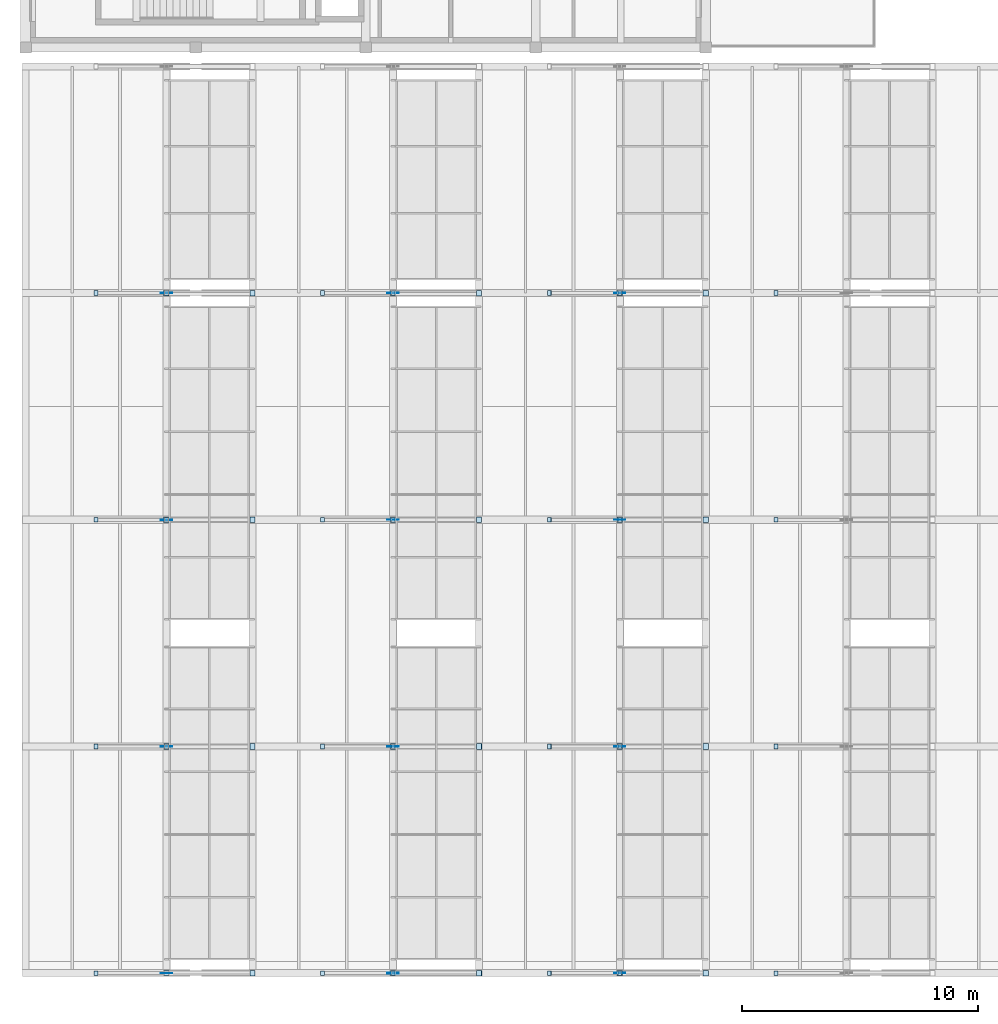
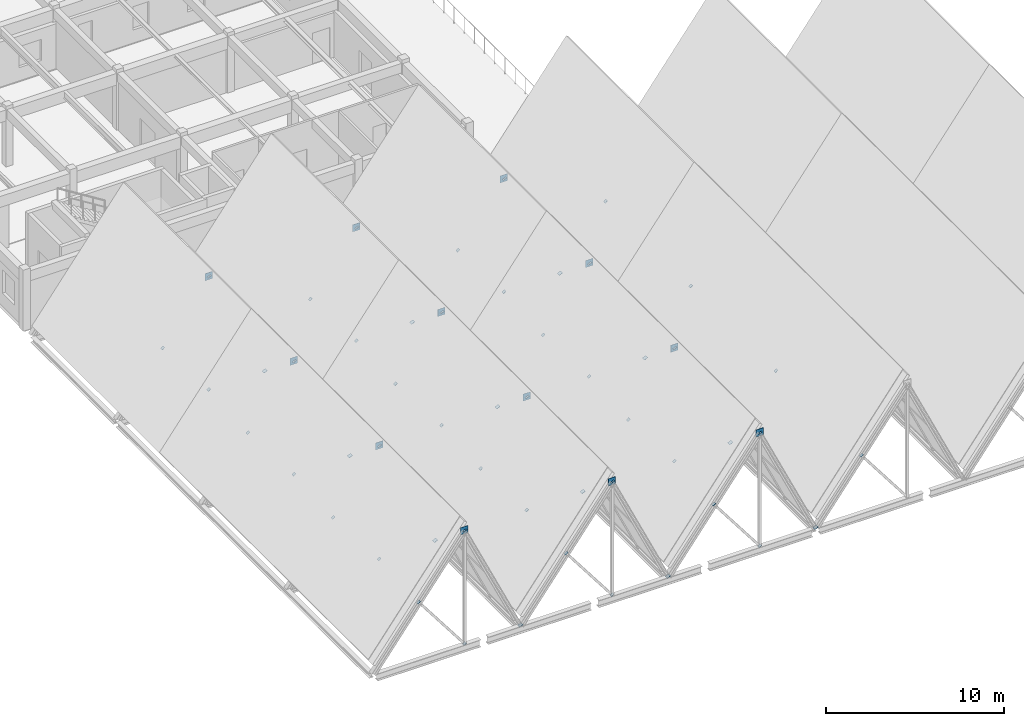
# One storey, part 73 of 99: 64 plates.
"""IFC4 building model written with IfcOpenShell, lengths in metres."""

from ifc_helpers import new_model, si_unit, direction, frame, origin, origin_2d, place, context, subcontext, project, spatial, rectangle, extrude, material, layer, layer_set, type_object, element, save


model = new_model("IFC4")

# Units and contexts
model_context = context("Model", 3, precision=1e-05, world=origin(), true_north=direction((0.0, 1.0)))
body_context = subcontext(model_context, "Body", "Model", "MODEL_VIEW")
ifc_project = project(units=[si_unit("LENGTHUNIT", "METRE"), si_unit("AREAUNIT", "SQUARE_METRE"), si_unit("VOLUMEUNIT", "CUBIC_METRE"), si_unit("PLANEANGLEUNIT", "RADIAN"), si_unit("MASSUNIT", "GRAM", prefix="KILO")], contexts=[model_context])

# Site, building, storey
site_placement = place(None, origin())
site = spatial("IfcSite", under=ifc_project, at=site_placement, CompositionType="ELEMENT")
building_placement = place(site_placement, origin())
building = spatial("IfcBuilding", under=site, at=building_placement, Name="Bramveld Media Centre", CompositionType="ELEMENT")
storey_placement = place(building_placement, frame((0.0, 0.0, 13.800048828125)))
storey = spatial("IfcBuildingStorey", under=building, at=storey_placement, Name="L03", CompositionType="ELEMENT", Elevation=13.800048828125)

# Plates
ifc_material_1 = material(Name="Steel S355J2", Category="steel")
ifc_layer_1 = layer(ifc_material_1, 0.010009765625)
ifc_layer_set_1 = layer_set([ifc_layer_1], Name="Steel S355J2")
plate_type_1 = type_object("IfcPlateType", Name="PLT-CAP-10", PredefinedType="USERDEFINED", material=ifc_layer_set_1)
plate_1_placement = place(storey_placement, frame((5.962890625, 0.0, 7.7998046875), z_axis=(-0.422618287099, 0.0, 0.906307775212), x_axis=(0.0, -1.0, 0.0)))
element("IfcPlate", 1, at=plate_1_placement, inside=storey, type_object=plate_type_1, Name="Hollow section end cap plate CAP-TRUSS-V2-B01-F1-A", ObjectType="CAP PLATE", PredefinedType="USERDEFINED", context=body_context, shape_type="SweptSolid", body=[
    extrude(rectangle(XDim=0.239990234375, YDim=0.239990234375, at=origin_2d()), origin(), (0.0, 0.0, 1.0), 0.010009765625),
])
for number, where, z_axis, x_axis, name in (
    (2, (5.962890625, 0.0, -0.000244140625), (0.607327610301, 0.0, -0.794451492394), (0.0, 1.0, 0.0), "Hollow section end cap plate CAP-TRUSS-V2-B01-F1-W0"),
    (3, (2.9814453125, 0.0, 3.900146484375), (-0.607327610301, 0.0, 0.794451492394), (0.0, -1.0, 0.0), "Hollow section end cap plate CAP-TRUSS-V2-B01-F1-W1"),
    (4, (5.962890625, 9.60009765625, -0.000244140625), (0.607327610301, 0.0, -0.794451492394), (0.0, 1.0, 0.0), "Hollow section end cap plate CAP-TRUSS-V2-B01-F2-W0"),
    (5, (2.9814453125, 9.60009765625, 3.900146484375), (-0.607327610301, 0.0, 0.794451492394), (0.0, -1.0, 0.0), "Hollow section end cap plate CAP-TRUSS-V2-B01-F2-W1"),
    (6, (5.962890625, 19.199951171875, -0.000244140625), (0.607327610301, 0.0, -0.794451492394), (0.0, 1.0, 0.0), "Hollow section end cap plate CAP-TRUSS-V2-B01-F3-W0"),
    (7, (2.9814453125, 19.199951171875, 3.900146484375), (-0.607327610301, 0.0, 0.794451492394), (0.0, -1.0, 0.0), "Hollow section end cap plate CAP-TRUSS-V2-B01-F3-W1"),
):
    element("IfcPlate", number, at=place(storey_placement, frame(where, z_axis=z_axis, x_axis=x_axis)), inside=storey, type_object=plate_type_1, Name=name, ObjectType="CAP PLATE", PredefinedType="USERDEFINED", context=body_context, shape_type="SweptSolid", body=[
        extrude(rectangle(XDim=0.199951171875, YDim=0.199951171875, at=origin_2d()), origin(), (0.0, 0.0, 1.0), 0.010009765625),
    ])
plate_2_placement = place(storey_placement, frame((9.599853515625, 28.800048828125, 0.0), z_axis=(0.422618287099, 0.0, -0.906307775212), x_axis=(0.0, 1.0, 0.0)))
element("IfcPlate", 8, at=plate_2_placement, inside=storey, type_object=plate_type_1, Name="Hollow section end cap plate CAP-TRUSS-V2-B01-F4-B", ObjectType="CAP PLATE", PredefinedType="USERDEFINED", context=body_context, shape_type="SweptSolid", body=[
    extrude(rectangle(XDim=0.239990234375, YDim=0.239990234375, at=origin_2d()), origin(), (0.0, 0.0, 1.0), 0.010009765625),
])
for number, where, z_axis, x_axis, name in (
    (9, (5.962890625, 28.800048828125, -0.000244140625), (0.607327610301, 0.0, -0.794451492394), (0.0, 1.0, 0.0), "Hollow section end cap plate CAP-TRUSS-V2-B01-F4-W0"),
    (10, (2.9814453125, 28.800048828125, 3.900146484375), (-0.607327610301, 0.0, 0.794451492394), (0.0, -1.0, 0.0), "Hollow section end cap plate CAP-TRUSS-V2-B01-F4-W1"),
    (11, (15.56298828125, 0.0, -0.000244140625), (0.607327610301, 0.0, -0.794451492394), (0.0, 1.0, 0.0), "Hollow section end cap plate CAP-TRUSS-V2-B02-F1-W0"),
    (12, (12.581298828125, 0.0, 3.900146484375), (-0.607327610301, 0.0, 0.794451492394), (0.0, -1.0, 0.0), "Hollow section end cap plate CAP-TRUSS-V2-B02-F1-W1"),
    (13, (15.56298828125, 9.60009765625, -0.000244140625), (0.607327610301, 0.0, -0.794451492394), (0.0, 1.0, 0.0), "Hollow section end cap plate CAP-TRUSS-V2-B02-F2-W0"),
    (14, (12.581298828125, 9.60009765625, 3.900146484375), (-0.607327610301, 0.0, 0.794451492394), (0.0, -1.0, 0.0), "Hollow section end cap plate CAP-TRUSS-V2-B02-F2-W1"),
):
    element("IfcPlate", number, at=place(storey_placement, frame(where, z_axis=z_axis, x_axis=x_axis)), inside=storey, type_object=plate_type_1, Name=name, ObjectType="CAP PLATE", PredefinedType="USERDEFINED", context=body_context, shape_type="SweptSolid", body=[
        extrude(rectangle(XDim=0.199951171875, YDim=0.199951171875, at=origin_2d()), origin(), (0.0, 0.0, 1.0), 0.010009765625),
    ])
plate_3_placement = place(storey_placement, frame((19.199951171875, 19.199951171875, 0.0), z_axis=(0.422618287099, 0.0, -0.906307775212), x_axis=(0.0, 1.0, 0.0)))
element("IfcPlate", 15, at=plate_3_placement, inside=storey, type_object=plate_type_1, Name="Hollow section end cap plate CAP-TRUSS-V2-B02-F3-B", ObjectType="CAP PLATE", PredefinedType="USERDEFINED", context=body_context, shape_type="SweptSolid", body=[
    extrude(rectangle(XDim=0.239990234375, YDim=0.239990234375, at=origin_2d()), origin(), (0.0, 0.0, 1.0), 0.010009765625),
])
for number, where, z_axis, x_axis, name in (
    (16, (15.56298828125, 19.199951171875, -0.000244140625), (0.607327610301, 0.0, -0.794451492394), (0.0, 1.0, 0.0), "Hollow section end cap plate CAP-TRUSS-V2-B02-F3-W0"),
    (17, (12.581298828125, 19.199951171875, 3.900146484375), (-0.607327610301, 0.0, 0.794451492394), (0.0, -1.0, 0.0), "Hollow section end cap plate CAP-TRUSS-V2-B02-F3-W1"),
):
    element("IfcPlate", number, at=place(storey_placement, frame(where, z_axis=z_axis, x_axis=x_axis)), inside=storey, type_object=plate_type_1, Name=name, ObjectType="CAP PLATE", PredefinedType="USERDEFINED", context=body_context, shape_type="SweptSolid", body=[
        extrude(rectangle(XDim=0.199951171875, YDim=0.199951171875, at=origin_2d()), origin(), (0.0, 0.0, 1.0), 0.010009765625),
    ])
plate_4_placement = place(storey_placement, frame((15.56298828125, 28.800048828125, 7.7998046875), z_axis=(-0.422618287099, 0.0, 0.906307775212), x_axis=(0.0, -1.0, 0.0)))
element("IfcPlate", 18, at=plate_4_placement, inside=storey, type_object=plate_type_1, Name="Hollow section end cap plate CAP-TRUSS-V2-B02-F4-A", ObjectType="CAP PLATE", PredefinedType="USERDEFINED", context=body_context, shape_type="SweptSolid", body=[
    extrude(rectangle(XDim=0.239990234375, YDim=0.239990234375, at=origin_2d()), origin(), (0.0, 0.0, 1.0), 0.010009765625),
])
for number, where, z_axis, x_axis, name in (
    (19, (15.56298828125, 28.800048828125, -0.000244140625), (0.607327610301, 0.0, -0.794451492394), (0.0, 1.0, 0.0), "Hollow section end cap plate CAP-TRUSS-V2-B02-F4-W0"),
    (20, (12.581298828125, 28.800048828125, 3.900146484375), (-0.607327610301, 0.0, 0.794451492394), (0.0, -1.0, 0.0), "Hollow section end cap plate CAP-TRUSS-V2-B02-F4-W1"),
    (21, (25.162841796875, 0.0, -0.000244140625), (0.607327610301, 0.0, -0.794451492394), (0.0, 1.0, 0.0), "Hollow section end cap plate CAP-TRUSS-V2-B03-F1-W0"),
    (22, (22.181396484375, 0.0, 3.900146484375), (-0.607327610301, 0.0, 0.794451492394), (0.0, -1.0, 0.0), "Hollow section end cap plate CAP-TRUSS-V2-B03-F1-W1"),
):
    element("IfcPlate", number, at=place(storey_placement, frame(where, z_axis=z_axis, x_axis=x_axis)), inside=storey, type_object=plate_type_1, Name=name, ObjectType="CAP PLATE", PredefinedType="USERDEFINED", context=body_context, shape_type="SweptSolid", body=[
        extrude(rectangle(XDim=0.199951171875, YDim=0.199951171875, at=origin_2d()), origin(), (0.0, 0.0, 1.0), 0.010009765625),
    ])
plate_5_placement = place(storey_placement, frame((28.7998046875, 9.60009765625, 0.0), z_axis=(0.422618287099, 0.0, -0.906307775212), x_axis=(0.0, 1.0, 0.0)))
element("IfcPlate", 23, at=plate_5_placement, inside=storey, type_object=plate_type_1, Name="Hollow section end cap plate CAP-TRUSS-V2-B03-F2-B", ObjectType="CAP PLATE", PredefinedType="USERDEFINED", context=body_context, shape_type="SweptSolid", body=[
    extrude(rectangle(XDim=0.239990234375, YDim=0.239990234375, at=origin_2d()), origin(), (0.0, 0.0, 1.0), 0.010009765625),
])
for number, where, z_axis, x_axis, name in (
    (24, (25.162841796875, 9.60009765625, -0.000244140625), (0.607327610301, 0.0, -0.794451492394), (0.0, 1.0, 0.0), "Hollow section end cap plate CAP-TRUSS-V2-B03-F2-W0"),
    (25, (22.181396484375, 9.60009765625, 3.900146484375), (-0.607327610301, 0.0, 0.794451492394), (0.0, -1.0, 0.0), "Hollow section end cap plate CAP-TRUSS-V2-B03-F2-W1"),
):
    element("IfcPlate", number, at=place(storey_placement, frame(where, z_axis=z_axis, x_axis=x_axis)), inside=storey, type_object=plate_type_1, Name=name, ObjectType="CAP PLATE", PredefinedType="USERDEFINED", context=body_context, shape_type="SweptSolid", body=[
        extrude(rectangle(XDim=0.199951171875, YDim=0.199951171875, at=origin_2d()), origin(), (0.0, 0.0, 1.0), 0.010009765625),
    ])
plate_6_placement = place(storey_placement, frame((25.162841796875, 19.199951171875, 7.7998046875), z_axis=(-0.422618287099, 0.0, 0.906307775212), x_axis=(0.0, -1.0, 0.0)))
element("IfcPlate", 26, at=plate_6_placement, inside=storey, type_object=plate_type_1, Name="Hollow section end cap plate CAP-TRUSS-V2-B03-F3-A", ObjectType="CAP PLATE", PredefinedType="USERDEFINED", context=body_context, shape_type="SweptSolid", body=[
    extrude(rectangle(XDim=0.239990234375, YDim=0.239990234375, at=origin_2d()), origin(), (0.0, 0.0, 1.0), 0.010009765625),
])
for number, where, z_axis, x_axis, name in (
    (27, (25.162841796875, 19.199951171875, -0.000244140625), (0.607327610301, 0.0, -0.794451492394), (0.0, 1.0, 0.0), "Hollow section end cap plate CAP-TRUSS-V2-B03-F3-W0"),
    (28, (22.181396484375, 19.199951171875, 3.900146484375), (-0.607327610301, 0.0, 0.794451492394), (0.0, -1.0, 0.0), "Hollow section end cap plate CAP-TRUSS-V2-B03-F3-W1"),
    (29, (25.162841796875, 28.800048828125, -0.000244140625), (0.607327610301, 0.0, -0.794451492394), (0.0, 1.0, 0.0), "Hollow section end cap plate CAP-TRUSS-V2-B03-F4-W0"),
    (30, (22.181396484375, 28.800048828125, 3.900146484375), (-0.607327610301, 0.0, 0.794451492394), (0.0, -1.0, 0.0), "Hollow section end cap plate CAP-TRUSS-V2-B03-F4-W1"),
    (31, (31.78125, 0.0, 3.900146484375), (-0.607327610301, 0.0, 0.794451492394), (0.0, -1.0, 0.0), "Hollow section end cap plate CAP-TRUSS-V2-B04-F1-W1"),
    (32, (31.78125, 9.60009765625, 3.900146484375), (-0.607327610301, 0.0, 0.794451492394), (0.0, -1.0, 0.0), "Hollow section end cap plate CAP-TRUSS-V2-B04-F2-W1"),
    (33, (31.78125, 19.199951171875, 3.900146484375), (-0.607327610301, 0.0, 0.794451492394), (0.0, -1.0, 0.0), "Hollow section end cap plate CAP-TRUSS-V2-B04-F3-W1"),
    (34, (31.78125, 28.800048828125, 3.900146484375), (-0.607327610301, 0.0, 0.794451492394), (0.0, -1.0, 0.0), "Hollow section end cap plate CAP-TRUSS-V2-B04-F4-W1"),
):
    element("IfcPlate", number, at=place(storey_placement, frame(where, z_axis=z_axis, x_axis=x_axis)), inside=storey, type_object=plate_type_1, Name=name, ObjectType="CAP PLATE", PredefinedType="USERDEFINED", context=body_context, shape_type="SweptSolid", body=[
        extrude(rectangle(XDim=0.199951171875, YDim=0.199951171875, at=origin_2d()), origin(), (0.0, 0.0, 1.0), 0.010009765625),
    ])
ifc_material_2 = material(Name="Steel S355J2", Category="steel")
ifc_layer_2 = layer(ifc_material_2, 0.013916015625)
ifc_layer_set_2 = layer_set([ifc_layer_2], Name="Steel S355J2")
plate_type_2 = type_object("IfcPlateType", Name="PLT-CAP-14", PredefinedType="USERDEFINED", material=ifc_layer_set_2)
for number, where, z_axis, x_axis, name in (
    (35, (9.60009765625, 0.0, 0.0), (0.422618287099, 0.0, -0.906307775212), (0.0, 1.0, 0.0), "Hollow section end cap plate CAP-TRUSS-V2-B01-F1-B"),
    (36, (5.962646484375, 9.60009765625, 7.7998046875), (-0.422618287099, 0.0, 0.906307775212), (0.0, -1.0, 0.0), "Hollow section end cap plate CAP-TRUSS-V2-B01-F2-A"),
    (37, (15.562744140625, 0.0, 7.7998046875), (-0.422618287099, 0.0, 0.906307775212), (0.0, -1.0, 0.0), "Hollow section end cap plate CAP-TRUSS-V2-B02-F1-A"),
    (38, (19.199951171875, 28.800048828125, 0.0), (0.422618287099, 0.0, -0.906307775212), (0.0, 1.0, 0.0), "Hollow section end cap plate CAP-TRUSS-V2-B02-F4-B"),
    (39, (28.800048828125, 19.199951171875, 0.0), (0.422618287099, 0.0, -0.906307775212), (0.0, 1.0, 0.0), "Hollow section end cap plate CAP-TRUSS-V2-B03-F3-B"),
    (40, (25.162841796875, 28.800048828125, 7.7998046875), (-0.422618287099, 0.0, 0.906307775212), (0.0, -1.0, 0.0), "Hollow section end cap plate CAP-TRUSS-V2-B03-F4-A"),
):
    element("IfcPlate", number, at=place(storey_placement, frame(where, z_axis=z_axis, x_axis=x_axis)), inside=storey, type_object=plate_type_2, Name=name, ObjectType="CAP PLATE", PredefinedType="USERDEFINED", context=body_context, shape_type="SweptSolid", body=[
        extrude(rectangle(XDim=0.239990234375, YDim=0.239990234375, at=origin_2d()), origin(), (0.0, 0.0, 1.0), 0.013916015625),
    ])
ifc_material_3 = material(Name="Steel S355J2", Category="steel")
ifc_layer_3 = layer(ifc_material_3, 0.01806640625)
ifc_layer_set_3 = layer_set([ifc_layer_3], Name="Steel S355J2")
plate_type_3 = type_object("IfcPlateType", Name="PLT-CAP-18", PredefinedType="USERDEFINED", material=ifc_layer_set_3)
for number, where, z_axis, x_axis, name in (
    (41, (9.599853515625, 9.60009765625, 0.0), (0.422618287099, 0.0, -0.906307775212), (0.0, 1.0, 0.0), "Hollow section end cap plate CAP-TRUSS-V2-B01-F2-B"),
    (42, (5.962890625, 19.199951171875, 7.7998046875), (-0.422618287099, 0.0, 0.906307775212), (0.0, -1.0, 0.0), "Hollow section end cap plate CAP-TRUSS-V2-B01-F3-A"),
    (43, (19.199951171875, 0.0, 0.0), (0.422618287099, 0.0, -0.906307775212), (0.0, 1.0, 0.0), "Hollow section end cap plate CAP-TRUSS-V2-B02-F1-B"),
    (44, (15.56298828125, 9.60009765625, 7.7998046875), (-0.422618287099, 0.0, 0.906307775212), (0.0, -1.0, 0.0), "Hollow section end cap plate CAP-TRUSS-V2-B02-F2-A"),
    (45, (25.162841796875, 0.0, 7.7998046875), (-0.422618287099, 0.0, 0.906307775212), (0.0, -1.0, 0.0), "Hollow section end cap plate CAP-TRUSS-V2-B03-F1-A"),
    (46, (28.7998046875, 28.800048828125, 0.0), (0.422618287099, 0.0, -0.906307775212), (0.0, 1.0, 0.0), "Hollow section end cap plate CAP-TRUSS-V2-B03-F4-B"),
):
    element("IfcPlate", number, at=place(storey_placement, frame(where, z_axis=z_axis, x_axis=x_axis)), inside=storey, type_object=plate_type_3, Name=name, ObjectType="CAP PLATE", PredefinedType="USERDEFINED", context=body_context, shape_type="SweptSolid", body=[
        extrude(rectangle(XDim=0.239990234375, YDim=0.239990234375, at=origin_2d()), origin(), (0.0, 0.0, 1.0), 0.01806640625),
    ])
ifc_material_4 = material(Name="Steel S355J2", Category="steel")
ifc_layer_4 = layer(ifc_material_4, 0.02197265625)
ifc_layer_set_4 = layer_set([ifc_layer_4], Name="Steel S355J2")
plate_type_4 = type_object("IfcPlateType", Name="PLT-CAP-22", PredefinedType="USERDEFINED", material=ifc_layer_set_4)
for number, where, z_axis, x_axis, name in (
    (47, (9.599853515625, 19.199951171875, 0.0), (0.422618287099, 0.0, -0.906307775212), (0.0, 1.0, 0.0), "Hollow section end cap plate CAP-TRUSS-V2-B01-F3-B"),
    (48, (5.962890625, 28.800048828125, 7.800048828125), (-0.422618287099, 0.0, 0.906307775212), (0.0, -1.0, 0.0), "Hollow section end cap plate CAP-TRUSS-V2-B01-F4-A"),
    (49, (19.199951171875, 9.60009765625, 0.0), (0.422618287099, 0.0, -0.906307775212), (0.0, 1.0, 0.0), "Hollow section end cap plate CAP-TRUSS-V2-B02-F2-B"),
    (50, (15.562744140625, 19.199951171875, 7.800048828125), (-0.422618287099, 0.0, 0.906307775212), (0.0, -1.0, 0.0), "Hollow section end cap plate CAP-TRUSS-V2-B02-F3-A"),
    (51, (28.800048828125, 0.0, 0.0), (0.422618287099, 0.0, -0.906307775212), (0.0, 1.0, 0.0), "Hollow section end cap plate CAP-TRUSS-V2-B03-F1-B"),
    (52, (25.162841796875, 9.60009765625, 7.800048828125), (-0.422618287099, 0.0, 0.906307775212), (0.0, -1.0, 0.0), "Hollow section end cap plate CAP-TRUSS-V2-B03-F2-A"),
):
    element("IfcPlate", number, at=place(storey_placement, frame(where, z_axis=z_axis, x_axis=x_axis)), inside=storey, type_object=plate_type_4, Name=name, ObjectType="CAP PLATE", PredefinedType="USERDEFINED", context=body_context, shape_type="SweptSolid", body=[
        extrude(rectangle(XDim=0.239990234375, YDim=0.239990234375, at=origin_2d()), origin(), (0.0, 0.0, 1.0), 0.02197265625),
    ])
ifc_material_5 = material(Name="Steel S355J2", Category="steel")
ifc_layer_5 = layer(ifc_material_5, 0.011962890625)
ifc_layer_set_5 = layer_set([ifc_layer_5], Name="Steel S355J2")
plate_type_5 = type_object("IfcPlateType", Name="PLT-GUSSET-12", PredefinedType="USERDEFINED", material=ifc_layer_set_5)
for number, where, z_axis, x_axis, name in (
    (53, (5.962890625, 0.0, 7.56005859375), (0.0, 0.0, 1.0), (1.0, 0.0, 0.0), "TRUSS-V2-B01-F1 apex node gusset plate"),
    (54, (15.562744140625, 9.60009765625, 7.56005859375), (0.0, 0.0, 1.0), (1.0, 0.0, 0.0), "TRUSS-V2-B02-F2 apex node gusset plate"),
    (55, (25.162841796875, 19.199951171875, 7.56005859375), (0.0, 0.0, 1.0), (1.0, 0.0, 0.0), "TRUSS-V2-B03-F3 apex node gusset plate"),
):
    element("IfcPlate", number, at=place(storey_placement, frame(where, z_axis=z_axis, x_axis=x_axis)), inside=storey, type_object=plate_type_5, Name=name, ObjectType="GUSSET PLATE", PredefinedType="USERDEFINED", context=body_context, shape_type="SweptSolid", body=[
        extrude(rectangle(XDim=0.47998046875, YDim=0.011962890625, at=origin_2d()), origin(), (0.0, 0.0, 1.0), 0.47998046875),
    ])
ifc_material_6 = material(Name="Steel S355J2", Category="steel")
ifc_layer_6 = layer(ifc_material_6, 0.01611328125)
ifc_layer_set_6 = layer_set([ifc_layer_6], Name="Steel S355J2")
plate_type_6 = type_object("IfcPlateType", Name="PLT-GUSSET-16", PredefinedType="USERDEFINED", material=ifc_layer_set_6)
for number, where, z_axis, x_axis, name in (
    (56, (5.962890625, 9.60009765625, 7.56005859375), (0.0, 0.0, 1.0), (1.0, 0.0, 0.0), "TRUSS-V2-B01-F2 apex node gusset plate"),
    (57, (15.562744140625, 19.199951171875, 7.56005859375), (0.0, 0.0, 1.0), (1.0, 0.0, 0.0), "TRUSS-V2-B02-F3 apex node gusset plate"),
    (58, (25.162841796875, 28.800048828125, 7.56005859375), (0.0, 0.0, 1.0), (1.0, 0.0, 0.0), "TRUSS-V2-B03-F4 apex node gusset plate"),
):
    element("IfcPlate", number, at=place(storey_placement, frame(where, z_axis=z_axis, x_axis=x_axis)), inside=storey, type_object=plate_type_6, Name=name, ObjectType="GUSSET PLATE", PredefinedType="USERDEFINED", context=body_context, shape_type="SweptSolid", body=[
        extrude(rectangle(XDim=0.47998046875, YDim=0.01611328125, at=origin_2d()), origin(), (0.0, 0.0, 1.0), 0.47998046875),
    ])
ifc_material_7 = material(Name="Steel S355J2", Category="steel")
ifc_layer_7 = layer(ifc_material_7, 0.02001953125)
ifc_layer_set_7 = layer_set([ifc_layer_7], Name="Steel S355J2")
plate_type_7 = type_object("IfcPlateType", Name="PLT-GUSSET-20", PredefinedType="USERDEFINED", material=ifc_layer_set_7)
for number, where, z_axis, x_axis, name in (
    (59, (5.962890625, 19.199951171875, 7.56005859375), (0.0, 0.0, 1.0), (1.0, 0.0, 0.0), "TRUSS-V2-B01-F3 apex node gusset plate"),
    (60, (15.562744140625, 28.800048828125, 7.56005859375), (0.0, 0.0, 1.0), (1.0, 0.0, 0.0), "TRUSS-V2-B02-F4 apex node gusset plate"),
):
    element("IfcPlate", number, at=place(storey_placement, frame(where, z_axis=z_axis, x_axis=x_axis)), inside=storey, type_object=plate_type_7, Name=name, ObjectType="GUSSET PLATE", PredefinedType="USERDEFINED", context=body_context, shape_type="SweptSolid", body=[
        extrude(rectangle(XDim=0.47998046875, YDim=0.02001953125, at=origin_2d()), origin(), (0.0, 0.0, 1.0), 0.47998046875),
    ])
ifc_material_8 = material(Name="Steel S355J2", Category="steel")
ifc_layer_8 = layer(ifc_material_8, 0.02392578125)
ifc_layer_set_8 = layer_set([ifc_layer_8], Name="Steel S355J2")
plate_type_8 = type_object("IfcPlateType", Name="PLT-GUSSET-24", PredefinedType="USERDEFINED", material=ifc_layer_set_8)
plate_7_placement = place(storey_placement, frame((5.962890625, 28.800048828125, 7.56005859375), z_axis=(0.0, 0.0, 1.0), x_axis=(1.0, 0.0, 0.0)))
element("IfcPlate", 61, at=plate_7_placement, inside=storey, type_object=plate_type_8, Name="TRUSS-V2-B01-F4 apex node gusset plate", ObjectType="GUSSET PLATE", PredefinedType="USERDEFINED", context=body_context, shape_type="SweptSolid", body=[
    extrude(rectangle(XDim=0.47998046875, YDim=0.02392578125, at=origin_2d()), origin(), (0.0, 0.0, 1.0), 0.47998046875),
])
ifc_material_9 = material(Name="Steel S355J2", Category="steel")
ifc_layer_9 = layer(ifc_material_9, 0.028076171875)
ifc_layer_set_9 = layer_set([ifc_layer_9], Name="Steel S355J2")
plate_type_9 = type_object("IfcPlateType", Name="PLT-GUSSET-28", PredefinedType="USERDEFINED", material=ifc_layer_set_9)
plate_8_placement = place(storey_placement, frame((25.162841796875, 0.0, 7.56005859375), z_axis=(0.0, 0.0, 1.0), x_axis=(1.0, 0.0, 0.0)))
element("IfcPlate", 62, at=plate_8_placement, inside=storey, type_object=plate_type_9, Name="TRUSS-V2-B03-F1 apex node gusset plate", ObjectType="GUSSET PLATE", PredefinedType="USERDEFINED", context=body_context, shape_type="SweptSolid", body=[
    extrude(rectangle(XDim=0.47998046875, YDim=0.028076171875, at=origin_2d()), origin(), (0.0, 0.0, 1.0), 0.47998046875),
])
ifc_material_10 = material(Name="Steel S355J2", Category="steel")
ifc_layer_10 = layer(ifc_material_10, 0.030029296875)
ifc_layer_set_10 = layer_set([ifc_layer_10], Name="Steel S355J2")
plate_type_10 = type_object("IfcPlateType", Name="PLT-GUSSET-30", PredefinedType="USERDEFINED", material=ifc_layer_set_10)
for number, where, z_axis, x_axis, name in (
    (63, (15.562744140625, 0.0, 7.56005859375), (0.0, 0.0, 1.0), (1.0, 0.0, 0.0), "TRUSS-V2-B02-F1 apex node gusset plate"),
    (64, (25.162841796875, 9.60009765625, 7.56005859375), (0.0, 0.0, 1.0), (1.0, 0.0, 0.0), "TRUSS-V2-B03-F2 apex node gusset plate"),
):
    element("IfcPlate", number, at=place(storey_placement, frame(where, z_axis=z_axis, x_axis=x_axis)), inside=storey, type_object=plate_type_10, Name=name, ObjectType="GUSSET PLATE", PredefinedType="USERDEFINED", context=body_context, shape_type="SweptSolid", body=[
        extrude(rectangle(XDim=0.47998046875, YDim=0.030029296875, at=origin_2d()), origin(), (0.0, 0.0, 1.0), 0.47998046875),
    ])

save(model, "model.ifc")
